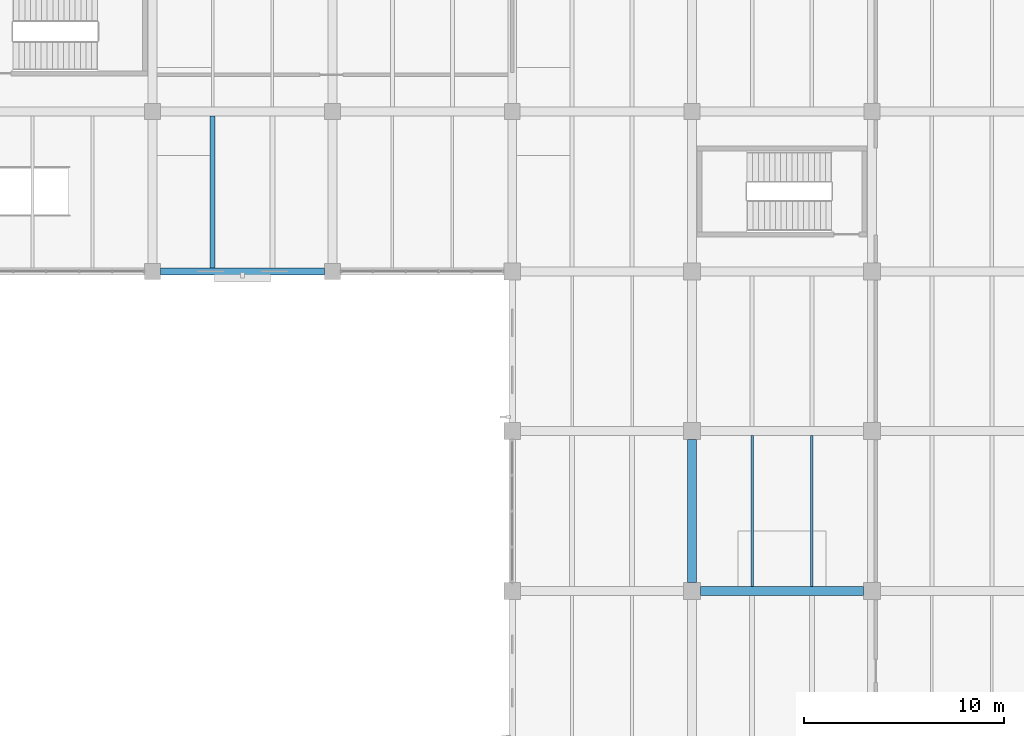
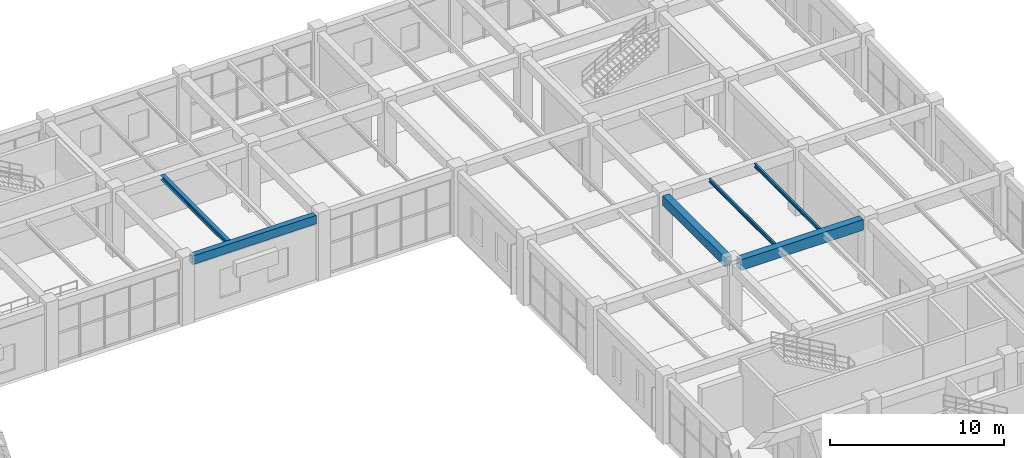
# One storey, part 127 of 178: 6 beams.
"""IFC4 building model written with IfcOpenShell, lengths in metres."""

from ifc_helpers import new_model, si_unit, derived_unit, direction, frame, origin, origin_2d, place, context, subcontext, project, spatial, rectangle, i_section, extrude, material, material_profile, profile_set, type_object, element, save


model = new_model("IFC4")

# Units and contexts
model_context = context("Model", 3, precision=1e-05, world=origin(), true_north=direction((0.0, 1.0)))
body_context = subcontext(model_context, "Body", "Model", "MODEL_VIEW")
ifc_project = project(units=[si_unit("LENGTHUNIT", "METRE"), si_unit("AREAUNIT", "SQUARE_METRE"), si_unit("VOLUMEUNIT", "CUBIC_METRE"), si_unit("PLANEANGLEUNIT", "RADIAN"), si_unit("MASSUNIT", "GRAM", prefix="KILO"), derived_unit("THERMALTRANSMITTANCEUNIT", [(si_unit("MASSUNIT", "GRAM", prefix="KILO"), 1), (si_unit("TIMEUNIT", "SECOND"), -3), (si_unit("THERMODYNAMICTEMPERATUREUNIT", "KELVIN"), -1)])], contexts=[model_context])

# Site, building, storey
site_placement = place(None, origin())
site = spatial("IfcSite", under=ifc_project, at=site_placement, CompositionType="ELEMENT")
building_placement = place(site_placement, origin())
building = spatial("IfcBuilding", under=site, at=building_placement, Name="Zhenchuan Archway Interchange", CompositionType="ELEMENT")
storey_placement = place(building_placement, frame((0.0, 0.0, 5.39990234375)))
storey = spatial("IfcBuildingStorey", under=building, at=storey_placement, Name="L01", CompositionType="ELEMENT", Elevation=5.39990234375)

# Beams
ifc_material_1 = material(Name="Concrete C40", Category="concrete")
ifc_material_profile_1 = material_profile(ifc_material_1, rectangle(XDim=0.449951171875, YDim=0.64990234375, at=origin_2d()), Name="RC 450x650")
ifc_profile_set_1 = profile_set([ifc_material_profile_1], Name="Concrete C40")
beam_type_1 = type_object("IfcBeamType", Name="BM_RC_450x650", PredefinedType="BEAM", material=ifc_profile_set_1)
beam_1_placement = place(storey_placement, frame((153.0, 72.425048828125, 4.18505859375), z_axis=(0.0, 1.0, 0.0), x_axis=(-1.0, 0.0, 0.0)))
element("IfcBeam", 1, at=beam_1_placement, inside=storey, type_object=beam_type_1, Name="Beam 18:K-L (L01)", PredefinedType="BEAM", context=body_context, shape_type="SweptSolid", body=[
    extrude(rectangle(XDim=0.449951171875, YDim=0.64990234375, at=origin_2d()), origin(), (0.0, 0.0, 1.0), 7.14990234375),
])
ifc_material_profile_2 = material_profile(ifc_material_1, rectangle(XDim=0.449951171875, YDim=0.75, at=origin_2d()), Name="RC 450x750")
ifc_profile_set_2 = profile_set([ifc_material_profile_2], Name="Concrete C40")
beam_type_2 = type_object("IfcBeamType", Name="BM_RC_450x750", PredefinedType="BEAM", material=ifc_profile_set_2)
beam_2_placement = place(storey_placement, frame((153.425048828125, 72.0, 4.135009765625), z_axis=(1.0, 0.0, 0.0), x_axis=(0.0, 1.0, 0.0)))
element("IfcBeam", 2, at=beam_2_placement, inside=storey, type_object=beam_type_2, Name="Beam K:18-19 (L01)", PredefinedType="BEAM", context=body_context, shape_type="SweptSolid", body=[
    extrude(rectangle(XDim=0.449951171875, YDim=0.75, at=origin_2d()), origin(), (0.0, 0.0, 1.0), 8.14990234375),
])
ifc_material_2 = material(Name="Steel Q355", Category="steel")
ifc_material_profile_3 = material_profile(ifc_material_2, i_section(OverallWidth=0.25, OverallDepth=0.340087890625, WebThickness=0.009033203125, FlangeThickness=0.013916015625, FilletRadius=0.01806640625, at=origin_2d()), Name="HM 340x250")
ifc_profile_set_3 = profile_set([ifc_material_profile_3], Name="Steel Q355")
beam_type_3 = type_object("IfcBeamType", Name="JST_STL_HM340", PredefinedType="JOIST", material=ifc_profile_set_3)
beam_3_placement = place(storey_placement, frame((129.0, 88.175048828125, 4.340087890625), z_axis=(0.0, 1.0, 0.0), x_axis=(-1.0, 0.0, 0.0)))
element("IfcBeam", 3, at=beam_3_placement, inside=storey, type_object=beam_type_3, Name="Secondary joist 15-16/M-N #1 (L01)", PredefinedType="JOIST", context=body_context, shape_type="SweptSolid", body=[
    extrude(i_section(OverallWidth=0.25, OverallDepth=0.340087890625, WebThickness=0.009033203125, FlangeThickness=0.013916015625, FilletRadius=0.01806640625, at=origin_2d()), origin(), (0.0, 0.0, 1.0), 7.599853515625),
])
ifc_material_profile_4 = material_profile(ifc_material_2, i_section(OverallWidth=0.125, OverallDepth=0.25, WebThickness=0.006103515625, FlangeThickness=0.009033203125, FilletRadius=0.011962890625, at=origin_2d()), Name="HN 250x125")
ifc_profile_set_4 = profile_set([ifc_material_profile_4], Name="Steel Q355")
beam_type_4 = type_object("IfcBeamType", Name="JST_STL_HN250", PredefinedType="JOIST", material=ifc_profile_set_4)
for number, where, z_axis, x_axis, name in (
    (4, (156.0, 72.22509765625, 4.385009765625), (0.0, 1.0, 0.0), (-1.0, 0.0, 0.0), "Secondary joist 18-19/K-L #1 (L01)"),
    (5, (159.0, 72.22509765625, 4.385009765625), (0.0, 1.0, 0.0), (-1.0, 0.0, 0.0), "Secondary joist 18-19/K-L #2 (L01)"),
):
    element("IfcBeam", number, at=place(storey_placement, frame(where, z_axis=z_axis, x_axis=x_axis)), inside=storey, type_object=beam_type_4, Name=name, PredefinedType="JOIST", context=body_context, shape_type="SweptSolid", body=[
        extrude(i_section(OverallWidth=0.125, OverallDepth=0.25, WebThickness=0.006103515625, FlangeThickness=0.009033203125, FilletRadius=0.011962890625, at=origin_2d()), origin(), (0.0, 0.0, 1.0), 7.5498046875),
    ])
ifc_material_profile_5 = material_profile(ifc_material_1, rectangle(XDim=0.35009765625, YDim=0.60009765625, at=origin_2d()), Name="RC 350x600")
ifc_profile_set_5 = profile_set([ifc_material_profile_5], Name="Concrete C40")
beam_type_5 = type_object("IfcBeamType", Name="SP_RC_350x600", PredefinedType="SPANDREL", material=ifc_profile_set_5)
beam_4_placement = place(storey_placement, frame((126.39990234375, 88.0, 4.210205078125), z_axis=(1.0, 0.0, 0.0), x_axis=(0.0, 1.0, 0.0)))
element("IfcBeam", 6, at=beam_4_placement, inside=storey, type_object=beam_type_5, Name="Beam M:15-16 (L01)", PredefinedType="SPANDREL", context=body_context, shape_type="SweptSolid", body=[
    extrude(rectangle(XDim=0.35009765625, YDim=0.60009765625, at=origin_2d()), origin(), (0.0, 0.0, 1.0), 8.2001953125),
])

save(model, "model.ifc")
